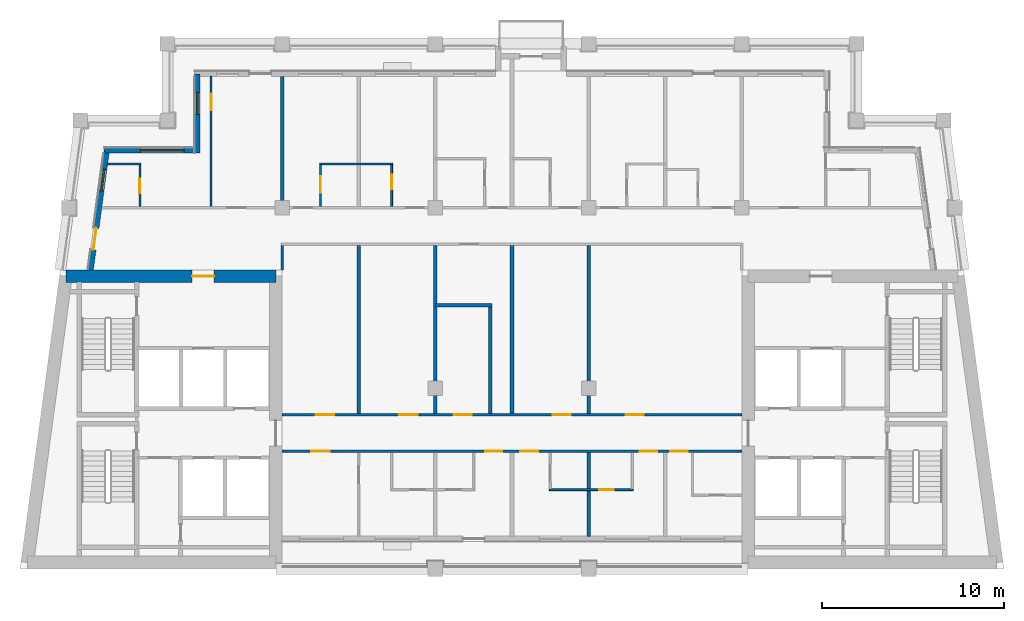
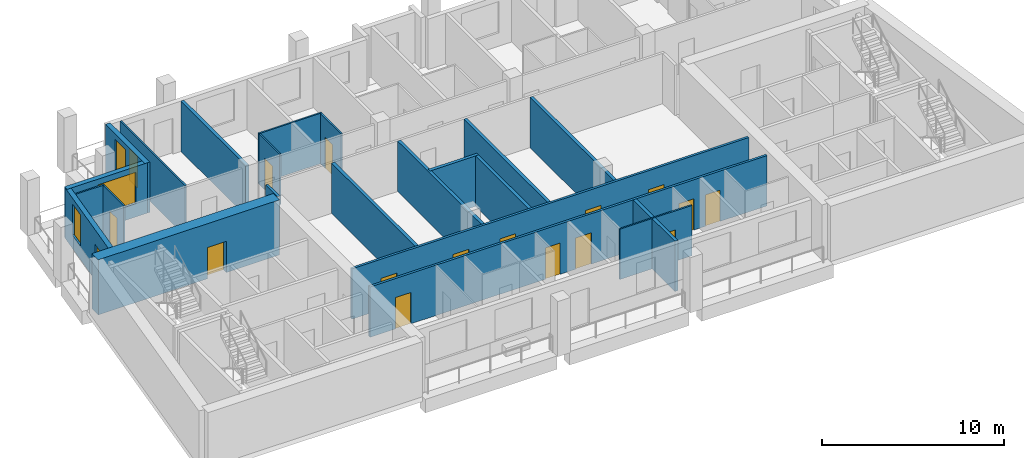
# One storey, part 3 of 10: 22 walls, 17 doors, 3 windows, 20 openings.
"""IFC4 building model written with IfcOpenShell, lengths in metres."""

from ifc_helpers import new_model, si_unit, direction, frame, frame_2d, origin, place, context, subcontext, project, spatial, rectangle, extrude, material, layer, layer_set, type_object, element, fill, save


model = new_model("IFC4")

# Units and contexts
model_context = context("Model", 3, precision=1e-05, world=origin(), true_north=direction((0.0, 1.0)))
body_context = subcontext(model_context, "Body", "Model", "MODEL_VIEW")
ifc_project = project(units=[si_unit("LENGTHUNIT", "METRE"), si_unit("AREAUNIT", "SQUARE_METRE"), si_unit("VOLUMEUNIT", "CUBIC_METRE"), si_unit("PLANEANGLEUNIT", "RADIAN"), si_unit("MASSUNIT", "GRAM", prefix="KILO")], contexts=[model_context])

# Site, building, storey
site_placement = place(None, origin())
site = spatial("IfcSite", under=ifc_project, at=site_placement, CompositionType="ELEMENT")
building_placement = place(site_placement, origin())
building = spatial("IfcBuilding", under=site, at=building_placement, Name="Candeia Pilgrim Tower and Theatre", CompositionType="ELEMENT")
storey_placement = place(building_placement, frame((0.0, 0.0, 292.300048828125)))
storey = spatial("IfcBuildingStorey", under=building, at=storey_placement, Name="L71", CompositionType="ELEMENT", Elevation=292.300048828125)

# Wall, opening, door
ifc_material_1 = material(Name="Concrete C40/50", Category="concrete")
ifc_layer_1 = layer(ifc_material_1, 0.699951171875)
ifc_layer_set_1 = layer_set([ifc_layer_1], Name="Core wall 700 C40/50")
wall_type_1 = type_object("IfcWallType", Name="Core wall 700 C40/50", PredefinedType="SHEAR", material=ifc_layer_set_1)
wall_1_placement = place(storey_placement, frame((88.936767578125, 132.050048828125, 0.0), z_axis=(0.0, 0.0, 1.0), x_axis=(1.0, 0.0, 0.0)))
wall_1 = element("IfcWall", 1, at=wall_1_placement, inside=storey, type_object=wall_type_1, Name="Core wall W1", PredefinedType="SHEAR", context=body_context, shape_type="SweptSolid", body=[
    extrude(rectangle(XDim=11.51318359375, YDim=0.699951171875, at=frame_2d((5.756591796875, 0.0))), origin(), (0.0, 0.0, 1.0), 3.699951171875),
])
opening_1_placement = place(wall_1_placement, frame((6.9267578125, 0.0, 0.0)))
opening_1 = element("IfcOpeningElement", 2, at=opening_1_placement, cuts=wall_1, Name="Opening L71-D044", PredefinedType="OPENING", context=body_context, shape_type="SweptSolid", body=[
    extrude(rectangle(XDim=1.199951171875, YDim=2.10009765625, at=frame_2d((0.60009765625, 1.050048828125))), frame((0.0, 0.35986328125, 0.0), z_axis=(0.0, -1.0, 0.0), x_axis=(1.0, 0.0, 0.0)), (0.0, 0.0, 1.0), 0.719970703125),
])
ifc_material_2 = material(Name="Steel fire door set", Category="steel")
door_type_1 = type_object("IfcDoorType", Name="D-1200-FD60", OperationType="NOTDEFINED", PredefinedType="DOOR", material=ifc_material_2)
door_1_placement = place(opening_1_placement, origin())
door_1 = element("IfcDoor", 3, at=door_1_placement, inside=storey, type_object=door_type_1, Name="Door L71-D044", OperationType="SINGLE_SWING_LEFT", OverallHeight=2.10009765625, OverallWidth=1.199951171875, PredefinedType="DOOR", context=body_context, shape_type="SweptSolid", body=[
    extrude(rectangle(XDim=1.199951171875, YDim=2.10009765625, at=frame_2d((0.60009765625, 1.050048828125))), frame((0.0, 0.02490234375, 0.0), z_axis=(0.0, -1.0, 0.0), x_axis=(1.0, 0.0, 0.0)), (0.0, 0.0, 1.0), 0.050048828125),
])
fill(opening_1, door_1)

# Wall, openings, door, window
ifc_material_3 = material(Name="Ceramic block masonry", Category="masonry")
ifc_layer_2 = layer(ifc_material_3, 0.300048828125)
ifc_layer_set_2 = layer_set([ifc_layer_2], Name="EW1 glazing-line wall 300")
wall_type_2 = type_object("IfcWallType", Name="EW1 glazing-line wall 300", PredefinedType="SOLIDWALL", material=ifc_layer_set_2)
wall_2_placement = place(storey_placement, frame((91.177490234375, 138.949951171875, 0.0), z_axis=(0.0, 0.0, 1.0), x_axis=(-0.133426664613, -0.991058689065, 0.0)))
wall_2 = element("IfcWall", 4, at=wall_2_placement, inside=storey, type_object=wall_type_2, Name="External wall L71-0.0", PredefinedType="SOLIDWALL", context=body_context, shape_type="SweptSolid", body=[
    extrude(rectangle(XDim=6.609130859375, YDim=0.300048828125, at=frame_2d((3.3046875, 0.0))), origin(), (0.0, 0.0, 1.0), 3.3798828125),
])
opening_2_placement = place(wall_2_placement, frame((1.039306640625, 0.0, 0.89990234375)))
opening_2 = element("IfcOpeningElement", 5, at=opening_2_placement, cuts=wall_2, Name="Opening W-B", PredefinedType="OPENING", context=body_context, shape_type="SweptSolid", body=[
    extrude(rectangle(XDim=1.199951171875, YDim=2.10009765625, at=frame_2d((0.60009765625, 1.050048828125))), frame((0.0, 0.16015625, 0.0), z_axis=(0.0, -1.0, 0.0), x_axis=(1.0, 0.0, 0.0)), (0.0, 0.0, 1.0), 0.320068359375),
])
opening_3_placement = place(wall_2_placement, frame((4.293701171875, 0.0, 0.0)))
opening_3 = element("IfcOpeningElement", 6, at=opening_3_placement, cuts=wall_2, Name="Opening L71-ED660", PredefinedType="OPENING", context=body_context, shape_type="SweptSolid", body=[
    extrude(rectangle(XDim=1.199951171875, YDim=2.39990234375, at=frame_2d((0.60009765625, 1.199951171875))), frame((0.0, 0.16015625, 0.0), z_axis=(0.0, -1.0, 0.0), x_axis=(1.0, 0.0, 0.0)), (0.0, 0.0, 1.0), 0.320068359375),
])
ifc_material_4 = material(Name="Aluminium framed glazed door", Category="aluminium")
door_type_2 = type_object("IfcDoorType", Name="Loggia door 1200x2400", OperationType="DOUBLE_DOOR_SINGLE_SWING", PredefinedType="DOOR", material=ifc_material_4)
door_2_placement = place(opening_3_placement, origin())
door_2 = element("IfcDoor", 7, at=door_2_placement, inside=storey, type_object=door_type_2, Name="Loggia door L71-ED660", OperationType="DOUBLE_DOOR_SINGLE_SWING", OverallHeight=2.39990234375, OverallWidth=1.199951171875, PredefinedType="DOOR", context=body_context, shape_type="SweptSolid", body=[
    extrude(rectangle(XDim=1.199951171875, YDim=2.39990234375, at=frame_2d((0.60009765625, 1.199951171875))), frame((0.0, 0.02490234375, 0.0), z_axis=(0.0, -1.0, 0.0), x_axis=(1.0, 0.0, 0.0)), (0.0, 0.0, 1.0), 0.050048828125),
])
fill(opening_3, door_2)
ifc_material_5 = material(Name="Aluminium framed double glazing", Category="aluminium")
window_type_1 = type_object("IfcWindowType", Name="W-B window 1200x2100", PartitioningType="SINGLE_PANEL", PredefinedType="WINDOW", material=ifc_material_5)
window_1_placement = place(opening_2_placement, origin())
window_1 = element("IfcWindow", 8, at=window_1_placement, inside=storey, type_object=window_type_1, Name="Window W-B L71", OverallHeight=2.10009765625, OverallWidth=1.199951171875, PartitioningType="SINGLE_PANEL", PredefinedType="WINDOW", context=body_context, shape_type="SweptSolid", body=[
    extrude(rectangle(XDim=1.199951171875, YDim=2.10009765625, at=frame_2d((0.60009765625, 1.050048828125))), frame((0.0, 0.030029296875, 0.0), z_axis=(0.0, -1.0, 0.0), x_axis=(1.0, 0.0, 0.0)), (0.0, 0.0, 1.0), 0.06005859375),
])
fill(opening_2, window_1)

# Wall, opening, window
wall_3_placement = place(storey_placement, frame((96.14990234375, 143.14990234375, 0.0), z_axis=(0.0, 0.0, 1.0), x_axis=(0.0, -1.0, 0.0)))
wall_3 = element("IfcWall", 9, at=wall_3_placement, inside=storey, type_object=wall_type_2, Name="External wall L71-6.0", PredefinedType="SOLIDWALL", context=body_context, shape_type="SweptSolid", body=[
    extrude(rectangle(XDim=4.349853515625, YDim=0.300048828125, at=frame_2d((2.1748046875, 0.0))), origin(), (0.0, 0.0, 1.0), 3.3798828125),
])
opening_4_placement = place(wall_3_placement, frame((1.02490234375, 0.0, 0.89990234375)))
opening_4 = element("IfcOpeningElement", 10, at=opening_4_placement, cuts=wall_3, Name="Opening W-B", PredefinedType="OPENING", context=body_context, shape_type="SweptSolid", body=[
    extrude(rectangle(XDim=1.199951171875, YDim=2.10009765625, at=frame_2d((0.60009765625, 1.050048828125))), frame((0.0, 0.16015625, 0.0), z_axis=(0.0, -1.0, 0.0), x_axis=(1.0, 0.0, 0.0)), (0.0, 0.0, 1.0), 0.320068359375),
])
window_2_placement = place(opening_4_placement, origin())
window_2 = element("IfcWindow", 11, at=window_2_placement, inside=storey, type_object=window_type_1, Name="Window W-B L71", OverallHeight=2.10009765625, OverallWidth=1.199951171875, PartitioningType="SINGLE_PANEL", PredefinedType="WINDOW", context=body_context, shape_type="SweptSolid", body=[
    extrude(rectangle(XDim=1.199951171875, YDim=2.10009765625, at=frame_2d((0.60009765625, 1.050048828125))), frame((0.0, 0.030029296875, 0.0), z_axis=(0.0, -1.0, 0.0), x_axis=(1.0, 0.0, 0.0)), (0.0, 0.0, 1.0), 0.06005859375),
])
fill(opening_4, window_2)

wall_4_placement = place(storey_placement, frame((96.14990234375, 138.949951171875, 0.0), z_axis=(0.0, 0.0, 1.0), x_axis=(-1.0, 0.0, 0.0)))
wall_4 = element("IfcWall", 12, at=wall_4_placement, inside=storey, type_object=wall_type_2, Name="External wall L71-7.0", PredefinedType="SOLIDWALL", context=body_context, shape_type="SweptSolid", body=[
    extrude(rectangle(XDim=5.103759765625, YDim=0.300048828125, at=frame_2d((2.5517578125, 0.0))), origin(), (0.0, 0.0, 1.0), 3.3798828125),
])
opening_5_placement = place(wall_4_placement, frame((0.72509765625, 0.0, 0.89990234375)))
opening_5 = element("IfcOpeningElement", 13, at=opening_5_placement, cuts=wall_4, Name="Opening W-A", PredefinedType="OPENING", context=body_context, shape_type="SweptSolid", body=[
    extrude(rectangle(XDim=2.39990234375, YDim=2.10009765625, at=frame_2d((1.199951171875, 1.050048828125))), frame((0.0, 0.16015625, 0.0), z_axis=(0.0, -1.0, 0.0), x_axis=(1.0, 0.0, 0.0)), (0.0, 0.0, 1.0), 0.320068359375),
])
window_type_2 = type_object("IfcWindowType", Name="W-A window 2400x2100", PartitioningType="DOUBLE_PANEL_VERTICAL", PredefinedType="WINDOW", material=ifc_material_5)
window_3_placement = place(opening_5_placement, origin())
window_3 = element("IfcWindow", 14, at=window_3_placement, inside=storey, type_object=window_type_2, Name="Window W-A L71", OverallHeight=2.10009765625, OverallWidth=2.39990234375, PartitioningType="SINGLE_PANEL", PredefinedType="WINDOW", context=body_context, shape_type="SweptSolid", body=[
    extrude(rectangle(XDim=2.39990234375, YDim=2.10009765625, at=frame_2d((1.199951171875, 1.050048828125))), frame((0.0, 0.030029296875, 0.0), z_axis=(0.0, -1.0, 0.0), x_axis=(1.0, 0.0, 0.0)), (0.0, 0.0, 1.0), 0.06005859375),
])
fill(opening_5, window_3)

# Wall, opening, door
ifc_material_6 = material(Name="Gypsum board partition on steel studs", Category="steel")
ifc_layer_3 = layer(ifc_material_6, 0.10009765625)
ifc_layer_set_3 = layer_set([ifc_layer_3], Name="PW-100 room partition")
wall_type_3 = type_object("IfcWallType", Name="PW-100 room partition", PredefinedType="PARTITIONING", material=ifc_layer_set_3)
wall_5_placement = place(storey_placement, frame((115.449951171875, 120.35009765625, 0.0), z_axis=(0.0, 0.0, 1.0), x_axis=(1.0, 0.0, 0.0)))
wall_5 = element("IfcWall", 15, at=wall_5_placement, inside=storey, type_object=wall_type_3, Name="Room partition L71-011", PredefinedType="PARTITIONING", context=body_context, shape_type="SweptSolid", body=[
    extrude(rectangle(XDim=4.60009765625, YDim=0.10009765625, at=frame_2d((2.300048828125, 0.0))), origin(), (0.0, 0.0, 1.0), 3.3798828125),
])
opening_6_placement = place(wall_5_placement, frame((2.72509765625, 0.0, 0.0)))
opening_6 = element("IfcOpeningElement", 16, at=opening_6_placement, cuts=wall_5, Name="Opening L71-D017", PredefinedType="OPENING", context=body_context, shape_type="SweptSolid", body=[
    extrude(rectangle(XDim=0.800048828125, YDim=2.10009765625, at=frame_2d((0.39990234375, 1.050048828125))), frame((0.0, 0.06005859375, 0.0), z_axis=(0.0, -1.0, 0.0), x_axis=(1.0, 0.0, 0.0)), (0.0, 0.0, 1.0), 0.1201171875),
])
ifc_material_7 = material(Name="Timber door leaf", Category="wood")
door_type_3 = type_object("IfcDoorType", Name="D-800", OperationType="NOTDEFINED", PredefinedType="DOOR", material=ifc_material_7)
door_3_placement = place(opening_6_placement, origin())
door_3 = element("IfcDoor", 17, at=door_3_placement, inside=storey, type_object=door_type_3, Name="Door L71-D017", OperationType="SINGLE_SWING_RIGHT", OverallHeight=2.10009765625, OverallWidth=0.800048828125, PredefinedType="DOOR", context=body_context, shape_type="SweptSolid", body=[
    extrude(rectangle(XDim=0.800048828125, YDim=2.10009765625, at=frame_2d((0.39990234375, 1.050048828125))), frame((0.0, 0.02490234375, 0.0), z_axis=(0.0, -1.0, 0.0), x_axis=(1.0, 0.0, 0.0)), (0.0, 0.0, 1.0), 0.050048828125),
])
fill(opening_6, door_3)

# Walls
wall_6_placement = place(storey_placement, frame((91.2177734375, 138.199951171875, 0.0), z_axis=(0.0, 0.0, 1.0), x_axis=(1.0, 0.0, 0.0)))
element("IfcWall", 18, at=wall_6_placement, inside=storey, type_object=wall_type_3, Name="Room partition L71-035", PredefinedType="PARTITIONING", context=body_context, shape_type="SweptSolid", body=[
    extrude(rectangle(XDim=1.832275390625, YDim=0.10009765625, at=frame_2d((0.916015625, 0.0))), origin(), (0.0, 0.0, 1.0), 3.3798828125),
])
wall_7_placement = place(storey_placement, frame((102.85009765625, 138.199951171875, 0.0), z_axis=(0.0, 0.0, 1.0), x_axis=(1.0, 0.0, 0.0)))
element("IfcWall", 19, at=wall_7_placement, inside=storey, type_object=wall_type_3, Name="Room partition L71-036", PredefinedType="PARTITIONING", context=body_context, shape_type="SweptSolid", body=[
    extrude(rectangle(XDim=4.0, YDim=0.10009765625, at=frame_2d((2.0, 0.0))), origin(), (0.0, 0.0, 1.0), 3.3798828125),
])

# Wall, opening, door
wall_8_placement = place(storey_placement, frame((93.0, 135.875, 0.0), z_axis=(0.0, 0.0, 1.0), x_axis=(0.0, 1.0, 0.0)))
wall_8 = element("IfcWall", 20, at=wall_8_placement, inside=storey, type_object=wall_type_3, Name="Room partition L71-045", PredefinedType="PARTITIONING", context=body_context, shape_type="SweptSolid", body=[
    extrude(rectangle(XDim=2.27490234375, YDim=0.10009765625, at=frame_2d((1.137451171875, 0.0))), origin(), (0.0, 0.0, 1.0), 3.3798828125),
])
opening_7_placement = place(wall_8_placement, frame((0.72509765625, 0.0, 0.0)))
opening_7 = element("IfcOpeningElement", 21, at=opening_7_placement, cuts=wall_8, Name="Opening L71-D022", PredefinedType="OPENING", context=body_context, shape_type="SweptSolid", body=[
    extrude(rectangle(XDim=0.800048828125, YDim=2.10009765625, at=frame_2d((0.39990234375, 1.050048828125))), frame((0.0, 0.06005859375, 0.0), z_axis=(0.0, -1.0, 0.0), x_axis=(1.0, 0.0, 0.0)), (0.0, 0.0, 1.0), 0.1201171875),
])
door_4_placement = place(opening_7_placement, origin())
door_4 = element("IfcDoor", 22, at=door_4_placement, inside=storey, type_object=door_type_3, Name="Door L71-D022", OperationType="SINGLE_SWING_LEFT", OverallHeight=2.10009765625, OverallWidth=0.800048828125, PredefinedType="DOOR", context=body_context, shape_type="SweptSolid", body=[
    extrude(rectangle(XDim=0.800048828125, YDim=2.10009765625, at=frame_2d((0.39990234375, 1.050048828125))), frame((0.0, 0.02490234375, 0.0), z_axis=(0.0, -1.0, 0.0), x_axis=(1.0, 0.0, 0.0)), (0.0, 0.0, 1.0), 0.050048828125),
])
fill(opening_7, door_4)

wall_9_placement = place(storey_placement, frame((96.89990234375, 135.875, 0.0), z_axis=(0.0, 0.0, 1.0), x_axis=(0.0, 1.0, 0.0)))
wall_9 = element("IfcWall", 23, at=wall_9_placement, inside=storey, type_object=wall_type_3, Name="Room partition L71-048", PredefinedType="PARTITIONING", context=body_context, shape_type="SweptSolid", body=[
    extrude(rectangle(XDim=7.135009765625, YDim=0.10009765625, at=frame_2d((3.5673828125, 0.0))), origin(), (0.0, 0.0, 1.0), 3.3798828125),
])
opening_8_placement = place(wall_9_placement, frame((5.2900390625, 0.0, 0.0)))
opening_8 = element("IfcOpeningElement", 24, at=opening_8_placement, cuts=wall_9, Name="Opening L71-D021", PredefinedType="OPENING", context=body_context, shape_type="SweptSolid", body=[
    extrude(rectangle(XDim=0.89990234375, YDim=2.10009765625, at=frame_2d((0.449951171875, 1.050048828125))), frame((0.0, 0.06005859375, 0.0), z_axis=(0.0, -1.0, 0.0), x_axis=(1.0, 0.0, 0.0)), (0.0, 0.0, 1.0), 0.1201171875),
])
door_type_4 = type_object("IfcDoorType", Name="D-900", OperationType="NOTDEFINED", PredefinedType="DOOR", material=ifc_material_7)
door_5_placement = place(opening_8_placement, origin())
door_5 = element("IfcDoor", 25, at=door_5_placement, inside=storey, type_object=door_type_4, Name="Door L71-D021", OperationType="SINGLE_SWING_RIGHT", OverallHeight=2.10009765625, OverallWidth=0.89990234375, PredefinedType="DOOR", context=body_context, shape_type="SweptSolid", body=[
    extrude(rectangle(XDim=0.89990234375, YDim=2.10009765625, at=frame_2d((0.449951171875, 1.050048828125))), frame((0.0, 0.02490234375, 0.0), z_axis=(0.0, -1.0, 0.0), x_axis=(1.0, 0.0, 0.0)), (0.0, 0.0, 1.0), 0.050048828125),
])
fill(opening_8, door_5)

wall_10_placement = place(storey_placement, frame((102.89990234375, 135.875, 0.0), z_axis=(0.0, 0.0, 1.0), x_axis=(0.0, 1.0, 0.0)))
wall_10 = element("IfcWall", 26, at=wall_10_placement, inside=storey, type_object=wall_type_3, Name="Room partition L71-053", PredefinedType="PARTITIONING", context=body_context, shape_type="SweptSolid", body=[
    extrude(rectangle(XDim=2.27490234375, YDim=0.10009765625, at=frame_2d((1.137451171875, 0.0))), origin(), (0.0, 0.0, 1.0), 3.3798828125),
])
opening_9_placement = place(wall_10_placement, frame((0.7548828125, 0.0, 0.0)))
opening_9 = element("IfcOpeningElement", 27, at=opening_9_placement, cuts=wall_10, Name="Opening L71-D024", PredefinedType="OPENING", context=body_context, shape_type="SweptSolid", body=[
    extrude(rectangle(XDim=0.89990234375, YDim=2.10009765625, at=frame_2d((0.449951171875, 1.050048828125))), frame((0.0, 0.06005859375, 0.0), z_axis=(0.0, -1.0, 0.0), x_axis=(1.0, 0.0, 0.0)), (0.0, 0.0, 1.0), 0.1201171875),
])
door_6_placement = place(opening_9_placement, origin())
door_6 = element("IfcDoor", 28, at=door_6_placement, inside=storey, type_object=door_type_4, Name="Door L71-D024", OperationType="SINGLE_SWING_LEFT", OverallHeight=2.10009765625, OverallWidth=0.89990234375, PredefinedType="DOOR", context=body_context, shape_type="SweptSolid", body=[
    extrude(rectangle(XDim=0.89990234375, YDim=2.10009765625, at=frame_2d((0.449951171875, 1.050048828125))), frame((0.0, 0.02490234375, 0.0), z_axis=(0.0, -1.0, 0.0), x_axis=(1.0, 0.0, 0.0)), (0.0, 0.0, 1.0), 0.050048828125),
])
fill(opening_9, door_6)

wall_11_placement = place(storey_placement, frame((106.800048828125, 135.875, 0.0), z_axis=(0.0, 0.0, 1.0), x_axis=(0.0, 1.0, 0.0)))
wall_11 = element("IfcWall", 29, at=wall_11_placement, inside=storey, type_object=wall_type_3, Name="Room partition L71-058", PredefinedType="PARTITIONING", context=body_context, shape_type="SweptSolid", body=[
    extrude(rectangle(XDim=2.27490234375, YDim=0.10009765625, at=frame_2d((1.137451171875, 0.0))), origin(), (0.0, 0.0, 1.0), 3.3798828125),
])
opening_10_placement = place(wall_11_placement, frame((0.949951171875, 0.0, 0.0)))
opening_10 = element("IfcOpeningElement", 30, at=opening_10_placement, cuts=wall_11, Name="Opening L71-D026", PredefinedType="OPENING", context=body_context, shape_type="SweptSolid", body=[
    extrude(rectangle(XDim=0.800048828125, YDim=2.10009765625, at=frame_2d((0.39990234375, 1.050048828125))), frame((0.0, 0.06005859375, 0.0), z_axis=(0.0, -1.0, 0.0), x_axis=(1.0, 0.0, 0.0)), (0.0, 0.0, 1.0), 0.1201171875),
])
door_7_placement = place(opening_10_placement, origin())
door_7 = element("IfcDoor", 31, at=door_7_placement, inside=storey, type_object=door_type_3, Name="Door L71-D026", OperationType="SINGLE_SWING_LEFT", OverallHeight=2.10009765625, OverallWidth=0.800048828125, PredefinedType="DOOR", context=body_context, shape_type="SweptSolid", body=[
    extrude(rectangle(XDim=0.800048828125, YDim=2.10009765625, at=frame_2d((0.39990234375, 1.050048828125))), frame((0.0, 0.02490234375, 0.0), z_axis=(0.0, -1.0, 0.0), x_axis=(1.0, 0.0, 0.0)), (0.0, 0.0, 1.0), 0.050048828125),
])
fill(opening_10, door_7)

# Wall, openings, doors
ifc_layer_4 = layer(ifc_material_6, 0.14990234375)
ifc_layer_set_4 = layer_set([ifc_layer_4], Name="PW-150 unit wall")
wall_type_4 = type_object("IfcWallType", Name="PW-150 unit wall", PredefinedType="PARTITIONING", material=ifc_layer_set_4)
wall_12_placement = place(storey_placement, frame((100.800048828125, 122.449951171875, 0.0), z_axis=(0.0, 0.0, 1.0), x_axis=(1.0, 0.0, 0.0)))
wall_12 = element("IfcWall", 32, at=wall_12_placement, inside=storey, type_object=wall_type_4, Name="Unit wall L71-016", PredefinedType="PARTITIONING", context=body_context, shape_type="SweptSolid", body=[
    extrude(rectangle(XDim=25.199951171875, YDim=0.14990234375, at=frame_2d((12.60009765625, 0.0))), origin(), (0.0, 0.0, 1.0), 3.3798828125),
])
opening_11_placement = place(wall_12_placement, frame((1.60009765625, 0.0, 0.0)))
opening_11 = element("IfcOpeningElement", 33, at=opening_11_placement, cuts=wall_12, Name="Opening L71-D009", PredefinedType="OPENING", context=body_context, shape_type="SweptSolid", body=[
    extrude(rectangle(XDim=1.0, YDim=2.10009765625, at=frame_2d((0.5, 1.050048828125))), frame((0.0, 0.0849609375, 0.0), z_axis=(0.0, -1.0, 0.0), x_axis=(1.0, 0.0, 0.0)), (0.0, 0.0, 1.0), 0.169921875),
])
opening_12_placement = place(wall_12_placement, frame((11.1201171875, 0.0, 0.0)))
opening_12 = element("IfcOpeningElement", 34, at=opening_12_placement, cuts=wall_12, Name="Opening L71-D012", PredefinedType="OPENING", context=body_context, shape_type="SweptSolid", body=[
    extrude(rectangle(XDim=0.949951171875, YDim=2.10009765625, at=frame_2d((0.47509765625, 1.050048828125))), frame((0.0, 0.0849609375, 0.0), z_axis=(0.0, -1.0, 0.0), x_axis=(1.0, 0.0, 0.0)), (0.0, 0.0, 1.0), 0.169921875),
])
opening_13_placement = place(wall_12_placement, frame((13.050048828125, 0.0, 0.0)))
opening_13 = element("IfcOpeningElement", 35, at=opening_13_placement, cuts=wall_12, Name="Opening L71-D014", PredefinedType="OPENING", context=body_context, shape_type="SweptSolid", body=[
    extrude(rectangle(XDim=1.0, YDim=2.10009765625, at=frame_2d((0.5, 1.050048828125))), frame((0.0, 0.0849609375, 0.0), z_axis=(0.0, -1.0, 0.0), x_axis=(1.0, 0.0, 0.0)), (0.0, 0.0, 1.0), 0.169921875),
])
opening_14_placement = place(wall_12_placement, frame((19.610107421875, 0.0, 0.0)))
opening_14 = element("IfcOpeningElement", 36, at=opening_14_placement, cuts=wall_12, Name="Opening L71-D016", PredefinedType="OPENING", context=body_context, shape_type="SweptSolid", body=[
    extrude(rectangle(XDim=0.949951171875, YDim=2.10009765625, at=frame_2d((0.47509765625, 1.050048828125))), frame((0.0, 0.0849609375, 0.0), z_axis=(0.0, -1.0, 0.0), x_axis=(1.0, 0.0, 0.0)), (0.0, 0.0, 1.0), 0.169921875),
])
opening_15_placement = place(wall_12_placement, frame((21.27490234375, 0.0, 0.0)))
opening_15 = element("IfcOpeningElement", 37, at=opening_15_placement, cuts=wall_12, Name="Opening L71-D018", PredefinedType="OPENING", context=body_context, shape_type="SweptSolid", body=[
    extrude(rectangle(XDim=0.949951171875, YDim=2.10009765625, at=frame_2d((0.47509765625, 1.050048828125))), frame((0.0, 0.0849609375, 0.0), z_axis=(0.0, -1.0, 0.0), x_axis=(1.0, 0.0, 0.0)), (0.0, 0.0, 1.0), 0.169921875),
])
door_type_5 = type_object("IfcDoorType", Name="D-1000-FD30S", OperationType="NOTDEFINED", PredefinedType="DOOR", material=ifc_material_2)
door_8_placement = place(opening_11_placement, origin())
door_8 = element("IfcDoor", 38, at=door_8_placement, inside=storey, type_object=door_type_5, Name="Door L71-D009", OperationType="SINGLE_SWING_RIGHT", OverallHeight=2.10009765625, OverallWidth=1.0, PredefinedType="DOOR", context=body_context, shape_type="SweptSolid", body=[
    extrude(rectangle(XDim=1.0, YDim=2.10009765625, at=frame_2d((0.5, 1.050048828125))), frame((0.0, 0.02490234375, 0.0), z_axis=(0.0, -1.0, 0.0), x_axis=(1.0, 0.0, 0.0)), (0.0, 0.0, 1.0), 0.050048828125),
])
fill(opening_11, door_8)
door_9_placement = place(opening_13_placement, origin())
door_9 = element("IfcDoor", 39, at=door_9_placement, inside=storey, type_object=door_type_5, Name="Door L71-D014", OperationType="SINGLE_SWING_LEFT", OverallHeight=2.10009765625, OverallWidth=1.0, PredefinedType="DOOR", context=body_context, shape_type="SweptSolid", body=[
    extrude(rectangle(XDim=1.0, YDim=2.10009765625, at=frame_2d((0.5, 1.050048828125))), frame((0.0, 0.02490234375, 0.0), z_axis=(0.0, -1.0, 0.0), x_axis=(1.0, 0.0, 0.0)), (0.0, 0.0, 1.0), 0.050048828125),
])
fill(opening_13, door_9)
door_type_6 = type_object("IfcDoorType", Name="D-950-FD30S", OperationType="NOTDEFINED", PredefinedType="DOOR", material=ifc_material_2)
door_10_placement = place(opening_12_placement, origin())
door_10 = element("IfcDoor", 40, at=door_10_placement, inside=storey, type_object=door_type_6, Name="Door L71-D012", OperationType="SINGLE_SWING_LEFT", OverallHeight=2.10009765625, OverallWidth=0.949951171875, PredefinedType="DOOR", context=body_context, shape_type="SweptSolid", body=[
    extrude(rectangle(XDim=0.949951171875, YDim=2.10009765625, at=frame_2d((0.47509765625, 1.050048828125))), frame((0.0, 0.02490234375, 0.0), z_axis=(0.0, -1.0, 0.0), x_axis=(1.0, 0.0, 0.0)), (0.0, 0.0, 1.0), 0.050048828125),
])
fill(opening_12, door_10)
door_11_placement = place(opening_14_placement, origin())
door_11 = element("IfcDoor", 41, at=door_11_placement, inside=storey, type_object=door_type_6, Name="Door L71-D016", OperationType="SINGLE_SWING_LEFT", OverallHeight=2.10009765625, OverallWidth=0.949951171875, PredefinedType="DOOR", context=body_context, shape_type="SweptSolid", body=[
    extrude(rectangle(XDim=0.949951171875, YDim=2.10009765625, at=frame_2d((0.47509765625, 1.050048828125))), frame((0.0, 0.02490234375, 0.0), z_axis=(0.0, -1.0, 0.0), x_axis=(1.0, 0.0, 0.0)), (0.0, 0.0, 1.0), 0.050048828125),
])
fill(opening_14, door_11)
door_12_placement = place(opening_15_placement, origin())
door_12 = element("IfcDoor", 42, at=door_12_placement, inside=storey, type_object=door_type_6, Name="Door L71-D018", OperationType="SINGLE_SWING_LEFT", OverallHeight=2.10009765625, OverallWidth=0.949951171875, PredefinedType="DOOR", context=body_context, shape_type="SweptSolid", body=[
    extrude(rectangle(XDim=0.949951171875, YDim=2.10009765625, at=frame_2d((0.47509765625, 1.050048828125))), frame((0.0, 0.02490234375, 0.0), z_axis=(0.0, -1.0, 0.0), x_axis=(1.0, 0.0, 0.0)), (0.0, 0.0, 1.0), 0.050048828125),
])
fill(opening_15, door_12)

wall_13_placement = place(storey_placement, frame((100.800048828125, 124.449951171875, 0.0), z_axis=(0.0, 0.0, 1.0), x_axis=(1.0, 0.0, 0.0)))
wall_13 = element("IfcWall", 43, at=wall_13_placement, inside=storey, type_object=wall_type_4, Name="Unit wall L71-021", PredefinedType="PARTITIONING", context=body_context, shape_type="SweptSolid", body=[
    extrude(rectangle(XDim=25.199951171875, YDim=0.14990234375, at=frame_2d((12.60009765625, 0.0))), origin(), (0.0, 0.0, 1.0), 3.3798828125),
])
opening_16_placement = place(wall_13_placement, frame((1.85009765625, 0.0, 0.0)))
opening_16 = element("IfcOpeningElement", 44, at=opening_16_placement, cuts=wall_13, Name="Opening L71-D039", PredefinedType="OPENING", context=body_context, shape_type="SweptSolid", body=[
    extrude(rectangle(XDim=1.0, YDim=2.10009765625, at=frame_2d((0.5, 1.050048828125))), frame((0.0, 0.0849609375, 0.0), z_axis=(0.0, -1.0, 0.0), x_axis=(1.0, 0.0, 0.0)), (0.0, 0.0, 1.0), 0.169921875),
])
opening_17_placement = place(wall_13_placement, frame((6.425048828125, 0.0, 0.0)))
opening_17 = element("IfcOpeningElement", 45, at=opening_17_placement, cuts=wall_13, Name="Opening L71-D040", PredefinedType="OPENING", context=body_context, shape_type="SweptSolid", body=[
    extrude(rectangle(XDim=1.0, YDim=2.10009765625, at=frame_2d((0.5, 1.050048828125))), frame((0.0, 0.0849609375, 0.0), z_axis=(0.0, -1.0, 0.0), x_axis=(1.0, 0.0, 0.0)), (0.0, 0.0, 1.0), 0.169921875),
])
opening_18_placement = place(wall_13_placement, frame((9.39990234375, 0.0, 0.0)))
opening_18 = element("IfcOpeningElement", 46, at=opening_18_placement, cuts=wall_13, Name="Opening L71-D041", PredefinedType="OPENING", context=body_context, shape_type="SweptSolid", body=[
    extrude(rectangle(XDim=1.0, YDim=2.10009765625, at=frame_2d((0.5, 1.050048828125))), frame((0.0, 0.0849609375, 0.0), z_axis=(0.0, -1.0, 0.0), x_axis=(1.0, 0.0, 0.0)), (0.0, 0.0, 1.0), 0.169921875),
])
opening_19_placement = place(wall_13_placement, frame((14.824951171875, 0.0, 0.0)))
opening_19 = element("IfcOpeningElement", 47, at=opening_19_placement, cuts=wall_13, Name="Opening L71-D042", PredefinedType="OPENING", context=body_context, shape_type="SweptSolid", body=[
    extrude(rectangle(XDim=1.0, YDim=2.10009765625, at=frame_2d((0.5, 1.050048828125))), frame((0.0, 0.0849609375, 0.0), z_axis=(0.0, -1.0, 0.0), x_axis=(1.0, 0.0, 0.0)), (0.0, 0.0, 1.0), 0.169921875),
])
opening_20_placement = place(wall_13_placement, frame((18.824951171875, 0.0, 0.0)))
opening_20 = element("IfcOpeningElement", 48, at=opening_20_placement, cuts=wall_13, Name="Opening L71-D043", PredefinedType="OPENING", context=body_context, shape_type="SweptSolid", body=[
    extrude(rectangle(XDim=1.0, YDim=2.10009765625, at=frame_2d((0.5, 1.050048828125))), frame((0.0, 0.0849609375, 0.0), z_axis=(0.0, -1.0, 0.0), x_axis=(1.0, 0.0, 0.0)), (0.0, 0.0, 1.0), 0.169921875),
])
door_13_placement = place(opening_16_placement, origin())
door_13 = element("IfcDoor", 49, at=door_13_placement, inside=storey, type_object=door_type_5, Name="Door L71-D039", OperationType="SINGLE_SWING_RIGHT", OverallHeight=2.10009765625, OverallWidth=1.0, PredefinedType="DOOR", context=body_context, shape_type="SweptSolid", body=[
    extrude(rectangle(XDim=1.0, YDim=2.10009765625, at=frame_2d((0.5, 1.050048828125))), frame((0.0, 0.02490234375, 0.0), z_axis=(0.0, -1.0, 0.0), x_axis=(1.0, 0.0, 0.0)), (0.0, 0.0, 1.0), 0.050048828125),
])
fill(opening_16, door_13)
door_14_placement = place(opening_17_placement, origin())
door_14 = element("IfcDoor", 50, at=door_14_placement, inside=storey, type_object=door_type_5, Name="Door L71-D040", OperationType="SINGLE_SWING_LEFT", OverallHeight=2.10009765625, OverallWidth=1.0, PredefinedType="DOOR", context=body_context, shape_type="SweptSolid", body=[
    extrude(rectangle(XDim=1.0, YDim=2.10009765625, at=frame_2d((0.5, 1.050048828125))), frame((0.0, 0.02490234375, 0.0), z_axis=(0.0, -1.0, 0.0), x_axis=(1.0, 0.0, 0.0)), (0.0, 0.0, 1.0), 0.050048828125),
])
fill(opening_17, door_14)
door_15_placement = place(opening_18_placement, origin())
door_15 = element("IfcDoor", 51, at=door_15_placement, inside=storey, type_object=door_type_5, Name="Door L71-D041", OperationType="SINGLE_SWING_RIGHT", OverallHeight=2.10009765625, OverallWidth=1.0, PredefinedType="DOOR", context=body_context, shape_type="SweptSolid", body=[
    extrude(rectangle(XDim=1.0, YDim=2.10009765625, at=frame_2d((0.5, 1.050048828125))), frame((0.0, 0.02490234375, 0.0), z_axis=(0.0, -1.0, 0.0), x_axis=(1.0, 0.0, 0.0)), (0.0, 0.0, 1.0), 0.050048828125),
])
fill(opening_18, door_15)
door_16_placement = place(opening_19_placement, origin())
door_16 = element("IfcDoor", 52, at=door_16_placement, inside=storey, type_object=door_type_5, Name="Door L71-D042", OperationType="SINGLE_SWING_LEFT", OverallHeight=2.10009765625, OverallWidth=1.0, PredefinedType="DOOR", context=body_context, shape_type="SweptSolid", body=[
    extrude(rectangle(XDim=1.0, YDim=2.10009765625, at=frame_2d((0.5, 1.050048828125))), frame((0.0, 0.02490234375, 0.0), z_axis=(0.0, -1.0, 0.0), x_axis=(1.0, 0.0, 0.0)), (0.0, 0.0, 1.0), 0.050048828125),
])
fill(opening_19, door_16)
door_17_placement = place(opening_20_placement, origin())
door_17 = element("IfcDoor", 53, at=door_17_placement, inside=storey, type_object=door_type_5, Name="Door L71-D043", OperationType="SINGLE_SWING_RIGHT", OverallHeight=2.10009765625, OverallWidth=1.0, PredefinedType="DOOR", context=body_context, shape_type="SweptSolid", body=[
    extrude(rectangle(XDim=1.0, YDim=2.10009765625, at=frame_2d((0.5, 1.050048828125))), frame((0.0, 0.02490234375, 0.0), z_axis=(0.0, -1.0, 0.0), x_axis=(1.0, 0.0, 0.0)), (0.0, 0.0, 1.0), 0.050048828125),
])
fill(opening_20, door_17)

# Walls
wall_14_placement = place(storey_placement, frame((100.800048828125, 132.39990234375, 0.0), z_axis=(0.0, 0.0, 1.0), x_axis=(0.0, 1.0, 0.0)))
element("IfcWall", 54, at=wall_14_placement, inside=storey, type_object=wall_type_4, Name="Unit wall L71-052", PredefinedType="PARTITIONING", context=body_context, shape_type="SweptSolid", body=[
    extrude(rectangle(XDim=1.3251953125, YDim=0.14990234375, at=frame_2d((0.66259765625, 0.0))), origin(), (0.0, 0.0, 1.0), 3.3798828125),
])
ifc_layer_5 = layer(ifc_material_6, 0.199951171875)
ifc_layer_set_5 = layer_set([ifc_layer_5], Name="PW-200 party wall")
wall_type_5 = type_object("IfcWallType", Name="PW-200 party wall", PredefinedType="PARTITIONING", material=ifc_layer_set_5)
wall_15_placement = place(storey_placement, frame((109.199951171875, 130.449951171875, 0.0), z_axis=(0.0, 0.0, 1.0), x_axis=(1.0, 0.0, 0.0)))
element("IfcWall", 55, at=wall_15_placement, inside=storey, type_object=wall_type_5, Name="Party wall L71-028", PredefinedType="PARTITIONING", context=body_context, shape_type="SweptSolid", body=[
    extrude(rectangle(XDim=3.10009765625, YDim=0.199951171875, at=frame_2d((1.550048828125, 0.0))), origin(), (0.0, 0.0, 1.0), 3.3798828125),
])
wall_16_placement = place(storey_placement, frame((100.800048828125, 135.875, 0.0), z_axis=(0.0, 0.0, 1.0), x_axis=(0.0, 1.0, 0.0)))
element("IfcWall", 56, at=wall_16_placement, inside=storey, type_object=wall_type_5, Name="Party wall L71-051", PredefinedType="PARTITIONING", context=body_context, shape_type="SweptSolid", body=[
    extrude(rectangle(XDim=7.135009765625, YDim=0.199951171875, at=frame_2d((3.5673828125, 0.0))), origin(), (0.0, 0.0, 1.0), 3.3798828125),
])
for number, where, z_axis, x_axis, name in (
    (57, (105.0, 124.52490234375, 0.0), (0.0, 0.0, 1.0), (0.0, 1.0, 0.0), "Party wall L71-055"),
    (58, (109.199951171875, 124.52490234375, 0.0), (0.0, 0.0, 1.0), (0.0, 1.0, 0.0), "Party wall L71-060"),
):
    element("IfcWall", number, at=place(storey_placement, frame(where, z_axis=z_axis, x_axis=x_axis)), inside=storey, type_object=wall_type_5, Name=name, PredefinedType="PARTITIONING", context=body_context, shape_type="SweptSolid", body=[
        extrude(rectangle(XDim=9.2001953125, YDim=0.199951171875, at=frame_2d((4.60009765625, 0.0))), origin(), (0.0, 0.0, 1.0), 3.3798828125),
    ])
wall_17_placement = place(storey_placement, frame((112.199951171875, 124.52490234375, 0.0), z_axis=(0.0, 0.0, 1.0), x_axis=(0.0, 1.0, 0.0)))
element("IfcWall", 59, at=wall_17_placement, inside=storey, type_object=wall_type_5, Name="Party wall L71-064", PredefinedType="PARTITIONING", context=body_context, shape_type="SweptSolid", body=[
    extrude(rectangle(XDim=5.8251953125, YDim=0.199951171875, at=frame_2d((2.91259765625, 0.0))), origin(), (0.0, 0.0, 1.0), 3.3798828125),
])
wall_18_placement = place(storey_placement, frame((113.39990234375, 124.52490234375, 0.0), z_axis=(0.0, 0.0, 1.0), x_axis=(0.0, 1.0, 0.0)))
element("IfcWall", 60, at=wall_18_placement, inside=storey, type_object=wall_type_5, Name="Party wall L71-066", PredefinedType="PARTITIONING", context=body_context, shape_type="SweptSolid", body=[
    extrude(rectangle(XDim=9.2001953125, YDim=0.199951171875, at=frame_2d((4.60009765625, 0.0))), origin(), (0.0, 0.0, 1.0), 3.3798828125),
])
wall_19_placement = place(storey_placement, frame((117.60009765625, 117.7900390625, 0.0), z_axis=(0.0, 0.0, 1.0), x_axis=(0.0, 1.0, 0.0)))
element("IfcWall", 61, at=wall_19_placement, inside=storey, type_object=wall_type_5, Name="Party wall L71-070", PredefinedType="PARTITIONING", context=body_context, shape_type="SweptSolid", body=[
    extrude(rectangle(XDim=4.5849609375, YDim=0.199951171875, at=frame_2d((2.29248046875, 0.0))), origin(), (0.0, 0.0, 1.0), 3.3798828125),
])
wall_20_placement = place(storey_placement, frame((117.60009765625, 124.52490234375, 0.0), z_axis=(0.0, 0.0, 1.0), x_axis=(0.0, 1.0, 0.0)))
element("IfcWall", 62, at=wall_20_placement, inside=storey, type_object=wall_type_5, Name="Party wall L71-071", PredefinedType="PARTITIONING", context=body_context, shape_type="SweptSolid", body=[
    extrude(rectangle(XDim=9.2001953125, YDim=0.199951171875, at=frame_2d((4.60009765625, 0.0))), origin(), (0.0, 0.0, 1.0), 3.3798828125),
])

save(model, "model.ifc")
